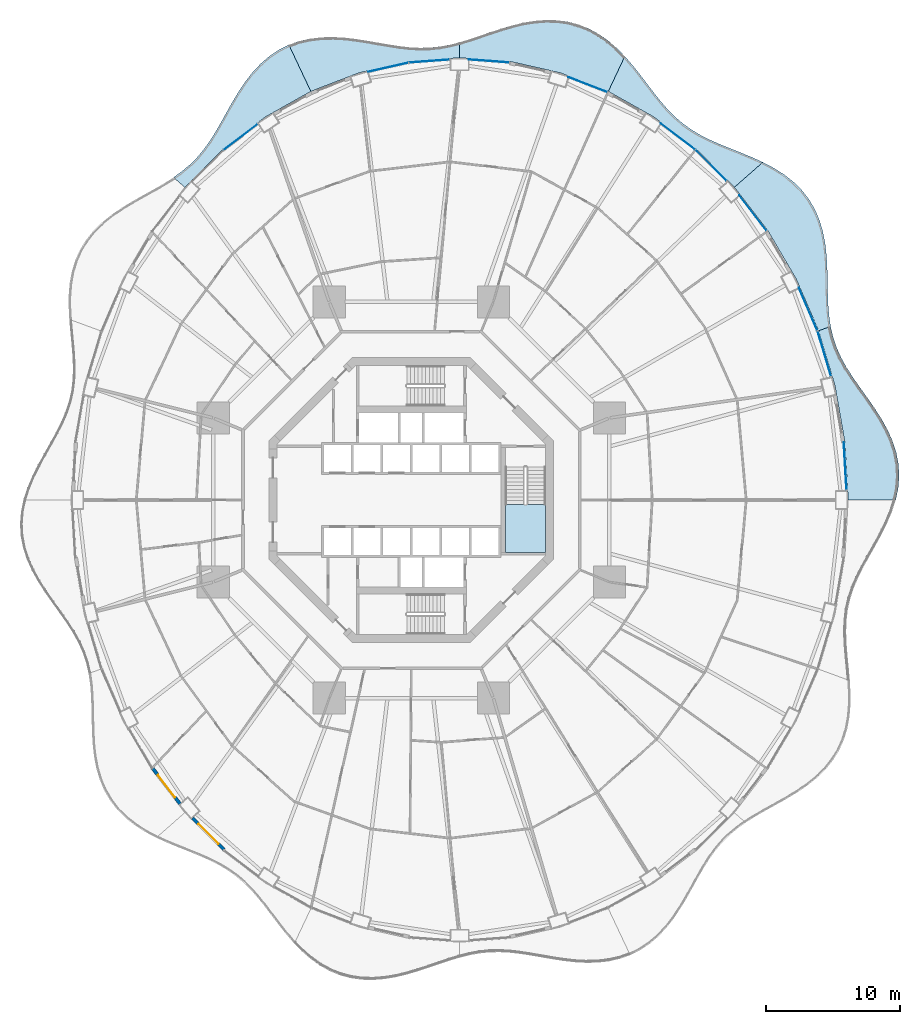
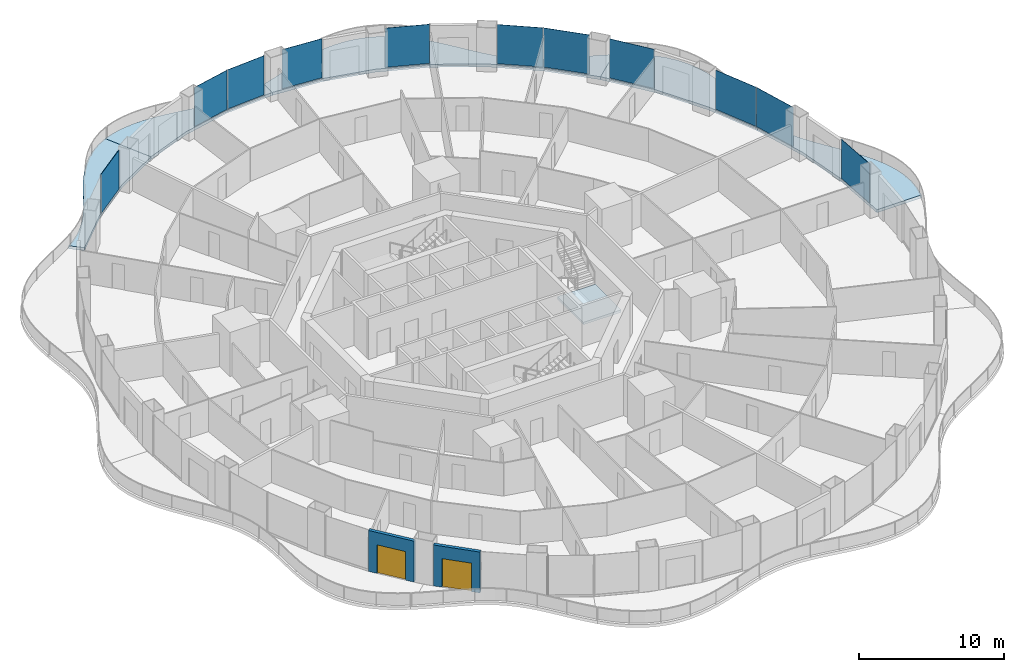
# One storey, part 13 of 22: 11 plates, 7 slabs, 2 doors, 2 walls, 2 openings, 12 elements without a shape of their own.
"""IFC4 building model written with IfcOpenShell, lengths in metres."""

from ifc_helpers import new_model, si_unit, direction, frame, frame_2d, origin, origin_2d, place, context, subcontext, project, spatial, polyline, rectangle, outline, extrude, material, layer, layer_set, type_object, element, fill, aggregate, save


model = new_model("IFC4")

# Units and contexts
model_context = context("Model", 3, precision=1e-05, world=origin(), true_north=direction((0.0, 1.0)))
body_context = subcontext(model_context, "Body", "Model", "MODEL_VIEW")
ifc_project = project(units=[si_unit("LENGTHUNIT", "METRE"), si_unit("AREAUNIT", "SQUARE_METRE"), si_unit("VOLUMEUNIT", "CUBIC_METRE"), si_unit("PLANEANGLEUNIT", "RADIAN"), si_unit("MASSUNIT", "GRAM", prefix="KILO")], contexts=[model_context])

# Site, building, storey
site_placement = place(None, origin())
site = spatial("IfcSite", under=ifc_project, at=site_placement, CompositionType="ELEMENT")
building_placement = place(site_placement, origin())
building = spatial("IfcBuilding", under=site, at=building_placement, Name="Nagisa Residences", CompositionType="ELEMENT")
storey_placement = place(building_placement, frame((0.0, 0.0, 52.89990234375)))
storey = spatial("IfcBuildingStorey", under=building, at=storey_placement, Name="L12", CompositionType="ELEMENT", Elevation=52.89990234375)

# Slabs
ifc_material_1 = material(Name="Concrete C40/50", Category="concrete")
ifc_layer_1 = layer(ifc_material_1, 0.25)
ifc_layer_set_1 = layer_set([ifc_layer_1], Name="BALCONY SLAB 250")
slab_type_1 = type_object("IfcSlabType", Name="BALCONY SLAB 250", PredefinedType="FLOOR", material=ifc_layer_set_1)
slab_1_placement = place(storey_placement, frame((0.0, 0.0, -0.25)))
element("IfcSlab", 1, at=slab_1_placement, inside=storey, type_object=slab_type_1, Name="slab:L12:bal00", PredefinedType="FLOOR", context=body_context, shape_type="SweptSolid", body=[
    extrude(outline(polyline([(36.14794921875, 0.0), (36.330078125, 0.885498046875), (36.39990234375, 1.774658203125), (36.35107421875, 2.6611328125), (36.18408203125, 3.537841796875), (35.90625, 4.398681640625), (35.531005859375, 5.239013671875), (35.077880859375, 6.056396484375), (34.569580078125, 6.849853515625), (34.031982421875, 7.62158203125), (33.49072265625, 8.375732421875), (32.97119140625, 9.118896484375), (32.4951171875, 9.85888671875), (32.079833984375, 10.60400390625), (31.737060546875, 11.363037109375), (31.472412109375, 12.14404296875), (31.283935546875, 12.953125), (30.392578125, 12.628662109375), (31.61181640625, 8.541015625), (32.351806640625, 4.307373046875), (32.60009765625, 0.0), (36.14794921875, 0.0)])), origin(), (0.0, 0.0, 1.0), 0.25),
])
slab_2_placement = place(storey_placement, frame((0.0, 0.0, -0.25)))
element("IfcSlab", 2, at=slab_2_placement, inside=storey, type_object=slab_type_1, Name="slab:L12:bal01", PredefinedType="FLOOR", context=body_context, shape_type="SweptSolid", body=[
    extrude(outline(polyline([(31.283935546875, 12.953125), (31.1669921875, 13.76708984375), (31.1015625, 14.61181640625), (31.071044921875, 15.484619140625), (31.055419921875, 16.380859375), (31.03271484375, 17.292236328125), (30.981201171875, 18.20849609375), (30.8798828125, 19.11767578125), (30.71044921875, 20.006591796875), (30.458984375, 20.86181640625), (30.115234375, 21.67138671875), (29.675048828125, 22.424560546875), (29.13916015625, 23.11376953125), (28.51416015625, 23.734375), (27.810546875, 24.2861328125), (27.043212890625, 24.772216796875), (26.229736328125, 25.20068359375), (24.106201171875, 23.33447265625), (26.607177734375, 20.089111328125), (28.71484375, 16.5), (30.392578125, 12.628662109375), (31.283935546875, 12.953125)])), origin(), (0.0, 0.0, 1.0), 0.25),
])
slab_3_placement = place(storey_placement, frame((0.0, 0.0, -0.25)))
element("IfcSlab", 3, at=slab_3_placement, inside=storey, type_object=slab_type_1, Name="slab:L12:bal02", PredefinedType="FLOOR", context=body_context, shape_type="SweptSolid", body=[
    extrude(outline(polyline([(26.229736328125, 25.20068359375), (25.4287109375, 25.565673828125), (24.619384765625, 25.900634765625), (23.8173828125, 26.219482421875), (23.0361328125, 26.537109375), (22.28662109375, 26.868408203125), (21.576171875, 27.227294921875), (20.9091796875, 27.625), (20.28515625, 28.070556640625), (19.70068359375, 28.569091796875), (19.1494140625, 29.12158203125), (18.62158203125, 29.724609375), (18.10595703125, 30.37060546875), (17.5908203125, 31.0478515625), (17.063720703125, 31.7412109375), (16.513671875, 32.433349609375), (15.93115234375, 33.1044921875), (14.69775390625, 30.488037109375), (18.10009765625, 28.578857421875), (21.254150390625, 26.1806640625), (24.106201171875, 23.33447265625), (26.229736328125, 25.20068359375)])), origin(), (0.0, 0.0, 1.0), 0.25),
])
slab_4_placement = place(storey_placement, frame((0.0, 0.0, -0.25)))
element("IfcSlab", 4, at=slab_4_placement, inside=storey, type_object=slab_type_1, Name="slab:L12:bal03", PredefinedType="FLOOR", context=body_context, shape_type="SweptSolid", body=[
    extrude(outline(polyline([(15.93115234375, 33.1044921875), (15.331787109375, 33.713134765625), (14.69140625, 34.267578125), (14.0087890625, 34.752197265625), (13.28466796875, 35.154541015625), (12.52294921875, 35.465087890625), (11.72900390625, 35.678955078125), (10.910400390625, 35.795166015625), (10.07470703125, 35.817138671875), (9.23095703125, 35.75244140625), (8.38671875, 35.61328125), (7.549560546875, 35.414306640625), (6.72509765625, 35.1728515625), (5.917236328125, 34.907470703125), (5.127685546875, 34.63720703125), (4.35595703125, 34.3798828125), (3.60009765625, 34.152099609375), (3.60009765625, 33.0), (7.38525390625, 32.7177734375), (11.105712890625, 31.87548828125), (14.69775390625, 30.488037109375), (15.93115234375, 33.1044921875)])), origin(), (0.0, 0.0, 1.0), 0.25),
])
slab_5_placement = place(storey_placement, frame((0.0, 0.0, -0.25)))
element("IfcSlab", 5, at=slab_5_placement, inside=storey, type_object=slab_type_1, Name="slab:L12:bal04", PredefinedType="FLOOR", context=body_context, shape_type="SweptSolid", body=[
    extrude(outline(polyline([(3.60009765625, 34.152099609375), (2.855712890625, 33.966796875), (2.11767578125, 33.83349609375), (1.3798828125, 33.758056640625), (0.636474609375, 33.740966796875), (-0.11865234375, 33.77880859375), (-0.8896484375, 33.863525390625), (-1.679443359375, 33.983642578125), (-2.489501953125, 34.1240234375), (-3.318115234375, 34.267822265625), (-4.161865234375, 34.396728515625), (-5.015625, 34.492919921875), (-5.87158203125, 34.538818359375), (-6.72119140625, 34.51953125), (-7.5546875, 34.422607421875), (-8.363037109375, 34.239501953125), (-9.13671875, 33.965087890625), (-7.497802734375, 30.488037109375), (-3.90576171875, 31.87548828125), (-0.185302734375, 32.7177734375), (3.60009765625, 33.0), (3.60009765625, 34.152099609375)])), origin(), (0.0, 0.0, 1.0), 0.25),
])
slab_6_placement = place(storey_placement, frame((0.0, 0.0, -0.25)))
element("IfcSlab", 6, at=slab_6_placement, inside=storey, type_object=slab_type_1, Name="slab:L12:bal05", PredefinedType="FLOOR", context=body_context, shape_type="SweptSolid", body=[
    extrude(outline(polyline([(-9.13671875, 33.965087890625), (-9.894775390625, 33.583251953125), (-10.600830078125, 33.107177734375), (-11.251220703125, 32.544677734375), (-11.845703125, 31.908935546875), (-12.38671875, 31.21484375), (-12.88037109375, 30.479736328125), (-13.3359375, 29.72216796875), (-13.764892578125, 28.960205078125), (-14.180419921875, 28.210205078125), (-14.59619140625, 27.486572265625), (-15.026123046875, 26.80078125), (-15.483154296875, 26.160400390625), (-15.977294921875, 25.5693359375), (-16.516845703125, 25.027099609375), (-17.10546875, 24.530029296875), (-17.743408203125, 24.0703125), (-16.906005859375, 23.33447265625), (-14.05419921875, 26.1806640625), (-10.89990234375, 28.578857421875), (-7.497802734375, 30.488037109375), (-9.13671875, 33.965087890625)])), origin(), (0.0, 0.0, 1.0), 0.25),
])

# Curtain wall, plate
ifc_material_2 = material(Name="Concrete-coloured aluminium curtain wall system", Category="concrete")
ifc_layer_2 = layer(ifc_material_2, 0.159912109375)
ifc_layer_set_2 = layer_set([ifc_layer_2], Name="CW1 CURTAIN WALL")
curtain_wall_type = type_object("IfcCurtainWallType", Name="CW1 CURTAIN WALL", PredefinedType="NOTDEFINED", material=ifc_layer_set_2)
curtain_wall_1_placement = place(storey_placement, origin())
curtain_wall_1 = element("IfcCurtainWall", 7, at=curtain_wall_1_placement, inside=storey, type_object=curtain_wall_type, Name="cw:CW1:L12:00", PredefinedType="NOTDEFINED")
ifc_material_3 = material(Name="Clear laminated glass", Category="glass")
ifc_layer_3 = layer(ifc_material_3, 0.028076171875)
ifc_layer_set_3 = layer_set([ifc_layer_3], Name="CW1 GLASS PANEL")
plate_type = type_object("IfcPlateType", Name="CW1 GLASS PANEL", PredefinedType="CURTAIN_PANEL", material=ifc_layer_set_3)
plate_1_placement = place(storey_placement, frame((32.374267578125, 2.528564453125, 0.150146484375), z_axis=(0.0, 0.0, 1.0), x_axis=(-0.057503492216, 0.998345305184, 0.0)))
plate_1 = element("IfcPlate", 8, at=plate_1_placement, type_object=plate_type, Name="CW1 panel", PredefinedType="CURTAIN_PANEL", context=body_context, shape_type="SweptSolid", body=[
    extrude(rectangle(XDim=3.554443359375, YDim=0.028076171875, at=origin_2d()), origin(), (0.0, 0.0, 1.0), 3.2900390625),
])
aggregate(curtain_wall_1, [plate_1])

curtain_wall_2_placement = place(storey_placement, origin())
curtain_wall_2 = element("IfcCurtainWall", 9, at=curtain_wall_2_placement, inside=storey, type_object=curtain_wall_type, Name="cw:CW1:L12:02", PredefinedType="NOTDEFINED")
plate_2_placement = place(storey_placement, frame((30.81689453125, 10.926025390625, 0.150146484375), z_axis=(0.0, 0.0, 1.0), x_axis=(-0.285860274038, 0.958271310082, 0.0)))
plate_2 = element("IfcPlate", 10, at=plate_2_placement, type_object=plate_type, Name="CW1 panel", PredefinedType="CURTAIN_PANEL", context=body_context, shape_type="SweptSolid", body=[
    extrude(rectangle(XDim=3.505615234375, YDim=0.028076171875, at=origin_2d()), origin(), (0.0, 0.0, 1.0), 3.2900390625),
])
aggregate(curtain_wall_2, [plate_2])

curtain_wall_3_placement = place(storey_placement, origin())
curtain_wall_3 = element("IfcCurtainWall", 11, at=curtain_wall_3_placement, inside=storey, type_object=curtain_wall_type, Name="cw:CW1:L12:03", PredefinedType="NOTDEFINED")
plate_3_placement = place(storey_placement, frame((29.607421875, 14.23876953125, 0.150146484375), z_axis=(0.0, 0.0, 1.0), x_axis=(-0.397635934147, 0.917543276295, 0.0)))
plate_3 = element("IfcPlate", 12, at=plate_3_placement, type_object=plate_type, Name="CW1 panel", PredefinedType="CURTAIN_PANEL", context=body_context, shape_type="SweptSolid", body=[
    extrude(rectangle(XDim=3.45947265625, YDim=0.028076171875, at=origin_2d()), origin(), (0.0, 0.0, 1.0), 3.2900390625),
])
aggregate(curtain_wall_3, [plate_3])

curtain_wall_4_placement = place(storey_placement, origin())
curtain_wall_4 = element("IfcCurtainWall", 13, at=curtain_wall_4_placement, inside=storey, type_object=curtain_wall_type, Name="cw:CW1:L12:05", PredefinedType="NOTDEFINED")
plate_4_placement = place(storey_placement, frame((25.488525390625, 21.409423828125, 0.150146484375), z_axis=(0.0, 0.0, 1.0), x_axis=(-0.610429828235, 0.792070340816, 0.0)))
plate_4 = element("IfcPlate", 14, at=plate_4_placement, type_object=plate_type, Name="CW1 panel", PredefinedType="CURTAIN_PANEL", context=body_context, shape_type="SweptSolid", body=[
    extrude(rectangle(XDim=3.33740234375, YDim=0.028076171875, at=origin_2d()), origin(), (0.0, 0.0, 1.0), 3.2900390625),
])
aggregate(curtain_wall_4, [plate_4])

curtain_wall_5_placement = place(storey_placement, origin())
curtain_wall_5 = element("IfcCurtainWall", 15, at=curtain_wall_5_placement, inside=storey, type_object=curtain_wall_type, Name="cw:CW1:L12:06", PredefinedType="NOTDEFINED")
plate_5_placement = place(storey_placement, frame((22.3544921875, 24.969482421875, 0.150146484375), z_axis=(0.0, 0.0, 1.0), x_axis=(-0.707835924016, 0.706376885714, 0.0)))
plate_5 = element("IfcPlate", 16, at=plate_5_placement, type_object=plate_type, Name="CW1 panel", PredefinedType="CURTAIN_PANEL", context=body_context, shape_type="SweptSolid", body=[
    extrude(rectangle(XDim=3.269287109375, YDim=0.028076171875, at=origin_2d()), origin(), (0.0, 0.0, 1.0), 3.2900390625),
])
aggregate(curtain_wall_5, [plate_5])

curtain_wall_6_placement = place(storey_placement, origin())
curtain_wall_6 = element("IfcCurtainWall", 17, at=curtain_wall_6_placement, inside=storey, type_object=curtain_wall_type, Name="cw:CW1:L12:07", PredefinedType="NOTDEFINED")
plate_6_placement = place(storey_placement, frame((19.88330078125, 27.122314453125, 0.150146484375), z_axis=(0.0, 0.0, 1.0), x_axis=(-0.79603132756, 0.605255421737, 0.0)))
plate_6 = element("IfcPlate", 18, at=plate_6_placement, type_object=plate_type, Name="CW1 panel", PredefinedType="CURTAIN_PANEL", context=body_context, shape_type="SweptSolid", body=[
    extrude(rectangle(XDim=3.2021484375, YDim=0.028076171875, at=origin_2d()), origin(), (0.0, 0.0, 1.0), 3.2900390625),
])
aggregate(curtain_wall_6, [plate_6])

curtain_wall_7_placement = place(storey_placement, origin())
curtain_wall_7 = element("IfcCurtainWall", 19, at=curtain_wall_7_placement, inside=storey, type_object=curtain_wall_type, Name="cw:CW1:L12:09", PredefinedType="NOTDEFINED")
plate_7_placement = place(storey_placement, frame((13.17138671875, 30.991943359375, 0.150146484375), z_axis=(0.0, 0.0, 1.0), x_axis=(-0.932825759707, 0.360327770268, 0.0)))
plate_7 = element("IfcPlate", 20, at=plate_7_placement, type_object=plate_type, Name="CW1 panel", PredefinedType="CURTAIN_PANEL", context=body_context, shape_type="SweptSolid", body=[
    extrude(rectangle(XDim=3.0908203125, YDim=0.028076171875, at=origin_2d()), origin(), (0.0, 0.0, 1.0), 3.2900390625),
])
aggregate(curtain_wall_7, [plate_7])

curtain_wall_8_placement = place(storey_placement, origin())
curtain_wall_8 = element("IfcCurtainWall", 21, at=curtain_wall_8_placement, inside=storey, type_object=curtain_wall_type, Name="cw:CW1:L12:11", PredefinedType="NOTDEFINED")
plate_8_placement = place(storey_placement, frame((5.805908203125, 32.75537109375, 0.150146484375), z_axis=(0.0, 0.0, 1.0), x_axis=(-0.997230168512, 0.074377355493, 0.0)))
plate_8 = element("IfcPlate", 22, at=plate_8_placement, type_object=plate_type, Name="CW1 panel", PredefinedType="CURTAIN_PANEL", context=body_context, shape_type="SweptSolid", body=[
    extrude(rectangle(XDim=3.035888671875, YDim=0.028076171875, at=origin_2d()), origin(), (0.0, 0.0, 1.0), 3.2900390625),
])
aggregate(curtain_wall_8, [plate_8])

curtain_wall_9_placement = place(storey_placement, origin())
curtain_wall_9 = element("IfcCurtainWall", 23, at=curtain_wall_9_placement, inside=storey, type_object=curtain_wall_type, Name="cw:CW1:L12:12", PredefinedType="NOTDEFINED")
plate_9_placement = place(storey_placement, frame((1.33447265625, 32.750732421875, 0.150146484375), z_axis=(0.0, 0.0, 1.0), x_axis=(-0.997230168512, -0.074377355493, 0.0)))
plate_9 = element("IfcPlate", 24, at=plate_9_placement, type_object=plate_type, Name="CW1 panel", PredefinedType="CURTAIN_PANEL", context=body_context, shape_type="SweptSolid", body=[
    extrude(rectangle(XDim=3.035888671875, YDim=0.028076171875, at=origin_2d()), origin(), (0.0, 0.0, 1.0), 3.2900390625),
])
aggregate(curtain_wall_9, [plate_9])

curtain_wall_10_placement = place(storey_placement, origin())
curtain_wall_10 = element("IfcCurtainWall", 25, at=curtain_wall_10_placement, inside=storey, type_object=curtain_wall_type, Name="cw:CW1:L12:13", PredefinedType="NOTDEFINED")
plate_10_placement = place(storey_placement, frame((-1.7158203125, 32.289306640625, 0.150146484375), z_axis=(0.0, 0.0, 1.0), x_axis=(-0.975327274089, -0.2207639201, 0.0)))
plate_10 = element("IfcPlate", 26, at=plate_10_placement, type_object=plate_type, Name="CW1 panel", PredefinedType="CURTAIN_PANEL", context=body_context, shape_type="SweptSolid", body=[
    extrude(rectangle(XDim=3.0546875, YDim=0.028076171875, at=origin_2d()), origin(), (0.0, 0.0, 1.0), 3.2900390625),
])
aggregate(curtain_wall_10, [plate_10])

curtain_wall_11_placement = place(storey_placement, origin())
curtain_wall_11 = element("IfcCurtainWall", 27, at=curtain_wall_11_placement, inside=storey, type_object=curtain_wall_type, Name="cw:CW1:L12:16", PredefinedType="NOTDEFINED")
plate_11_placement = place(storey_placement, frame((-12.731201171875, 27.086181640625, 0.150146484375), z_axis=(0.0, 0.0, 1.0), x_axis=(-0.79603132756, -0.605255421737, 0.0)))
plate_11 = element("IfcPlate", 28, at=plate_11_placement, type_object=plate_type, Name="CW1 panel", PredefinedType="CURTAIN_PANEL", context=body_context, shape_type="SweptSolid", body=[
    extrude(rectangle(XDim=3.2021484375, YDim=0.028076171875, at=origin_2d()), origin(), (0.0, 0.0, 1.0), 3.2900390625),
])
aggregate(curtain_wall_11, [plate_11])

# Stair, slab
ifc_material_4 = material(Name="Concrete C60", Category="concrete")
stair_type = type_object("IfcStairType", Name="Exit stair", PredefinedType="HALF_TURN_STAIR", material=ifc_material_4)
stair_placement = place(storey_placement, origin())
stair = element("IfcStair", 29, at=stair_placement, inside=storey, type_object=stair_type, Name="L12 Exit stair E", PredefinedType="HALF_TURN_STAIR")
ifc_material_5 = material(Name="Concrete C60", Category="concrete")
ifc_layer_4 = layer(ifc_material_5, 0.199951171875)
ifc_layer_set_4 = layer_set([ifc_layer_4], Name="Stair landing")
slab_type_2 = type_object("IfcSlabType", Name="Stair landing", PredefinedType="LANDING", material=ifc_layer_set_4)
slab_7_placement = place(storey_placement, frame((0.0, 0.0, 1.650146484375)))
slab_7 = element("IfcSlab", 30, at=slab_7_placement, type_object=slab_type_2, Name="ST-E landing 1", PredefinedType="LANDING", context=body_context, shape_type="SweptSolid", body=[
    extrude(outline(polyline([(7.024658203125, -0.324951171875), (7.024658203125, -3.89990234375), (10.024658203125, -3.89990234375), (10.024658203125, -0.324951171875), (7.024658203125, -0.324951171875)])), origin(), (0.0, 0.0, 1.0), 0.199951171875),
])
aggregate(stair, [slab_7])

# Wall, opening, door
ifc_material_6 = material(Name="Precast concrete C40/50", Category="concrete")
ifc_layer_5 = layer(ifc_material_6, 0.25)
ifc_layer_set_5 = layer_set([ifc_layer_5], Name="BALCONY DOOR WALL 250")
wall_type = type_object("IfcWallType", Name="BALCONY DOOR WALL 250", PredefinedType="SOLIDWALL", material=ifc_layer_set_5)
wall_1_placement = place(storey_placement, frame((-17.234375, -22.703857421875, 0.0), z_axis=(0.0, 0.0, 1.0), x_axis=(-0.610457147657, 0.792049285635, 0.0)))
wall_1 = element("IfcWall", 31, at=wall_1_placement, inside=storey, type_object=wall_type, Name="wall:L12:bay29", PredefinedType="SOLIDWALL", context=body_context, shape_type="SweptSolid", body=[
    extrude(rectangle(XDim=3.3974609375, YDim=0.25, at=frame_2d((1.69873046875, 0.0))), origin(), (0.0, 0.0, 1.0), 3.440185546875),
])
opening_1_placement = place(wall_1_placement, frame((0.648681640625, 0.0, 0.0)))
opening_1 = element("IfcOpeningElement", 32, at=opening_1_placement, cuts=wall_1, Name="Opening BD-L12-10", PredefinedType="OPENING", context=body_context, shape_type="SweptSolid", body=[
    extrude(rectangle(XDim=2.10009765625, YDim=2.39990234375, at=frame_2d((1.050048828125, 1.199951171875))), frame((0.0, 0.135009765625, 0.0), z_axis=(0.0, -1.0, 0.0), x_axis=(1.0, 0.0, 0.0)), (0.0, 0.0, 1.0), 0.27001953125),
])
ifc_material_7 = material(Name="Aluminium and clear glass", Category="aluminium")
door_type = type_object("IfcDoorType", Name="BALCONY SLIDING DOOR 2100x2400", OperationType="SLIDING_TO_LEFT", PredefinedType="DOOR", material=ifc_material_7)
door_1_placement = place(opening_1_placement, origin())
door_1 = element("IfcDoor", 33, at=door_1_placement, inside=storey, type_object=door_type, Name="door:L12:bay29", OperationType="SLIDING_TO_LEFT", OverallHeight=2.39990234375, OverallWidth=2.10009765625, PredefinedType="DOOR", context=body_context, shape_type="SweptSolid", body=[
    extrude(rectangle(XDim=2.10009765625, YDim=2.39990234375, at=frame_2d((1.050048828125, 1.199951171875))), frame((0.0, 0.02490234375, 0.0), z_axis=(0.0, -1.0, 0.0), x_axis=(1.0, 0.0, 0.0)), (0.0, 0.0, 1.0), 0.050048828125),
])
fill(opening_1, door_1)

wall_2_placement = place(storey_placement, frame((-13.9658203125, -26.09228515625, 0.0), z_axis=(0.0, 0.0, 1.0), x_axis=(-0.707803094595, 0.706409781417, 0.0)))
wall_2 = element("IfcWall", 34, at=wall_2_placement, inside=storey, type_object=wall_type, Name="wall:L12:bay30", PredefinedType="SOLIDWALL", context=body_context, shape_type="SweptSolid", body=[
    extrude(rectangle(XDim=3.329345703125, YDim=0.25, at=frame_2d((1.66455078125, 0.0))), origin(), (0.0, 0.0, 1.0), 3.440185546875),
])
opening_2_placement = place(wall_2_placement, frame((0.614501953125, 0.0, 0.0)))
opening_2 = element("IfcOpeningElement", 35, at=opening_2_placement, cuts=wall_2, Name="Opening BD-L12-11", PredefinedType="OPENING", context=body_context, shape_type="SweptSolid", body=[
    extrude(rectangle(XDim=2.10009765625, YDim=2.39990234375, at=frame_2d((1.050048828125, 1.199951171875))), frame((0.0, 0.135009765625, 0.0), z_axis=(0.0, -1.0, 0.0), x_axis=(1.0, 0.0, 0.0)), (0.0, 0.0, 1.0), 0.27001953125),
])
door_2_placement = place(opening_2_placement, origin())
door_2 = element("IfcDoor", 36, at=door_2_placement, inside=storey, type_object=door_type, Name="door:L12:bay30", OperationType="SLIDING_TO_LEFT", OverallHeight=2.39990234375, OverallWidth=2.10009765625, PredefinedType="DOOR", context=body_context, shape_type="SweptSolid", body=[
    extrude(rectangle(XDim=2.10009765625, YDim=2.39990234375, at=frame_2d((1.050048828125, 1.199951171875))), frame((0.0, 0.02490234375, 0.0), z_axis=(0.0, -1.0, 0.0), x_axis=(1.0, 0.0, 0.0)), (0.0, 0.0, 1.0), 0.050048828125),
])
fill(opening_2, door_2)

save(model, "model.ifc")
